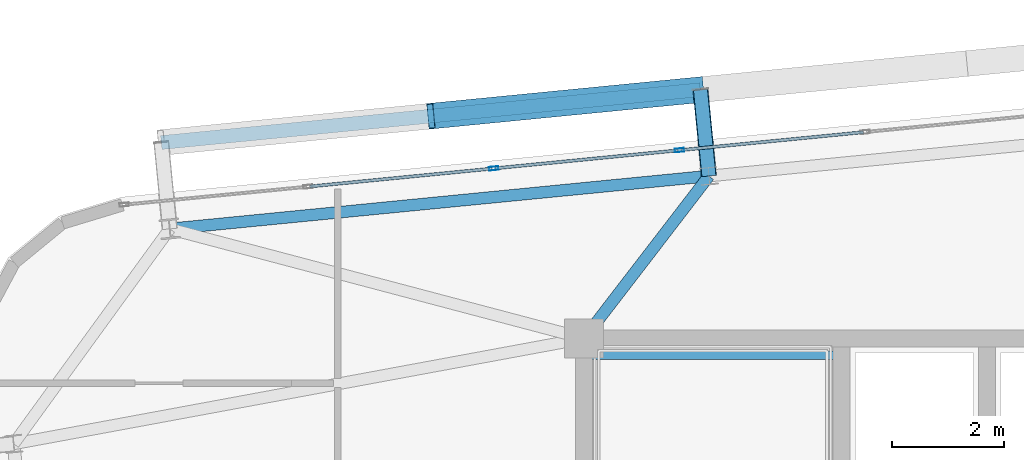
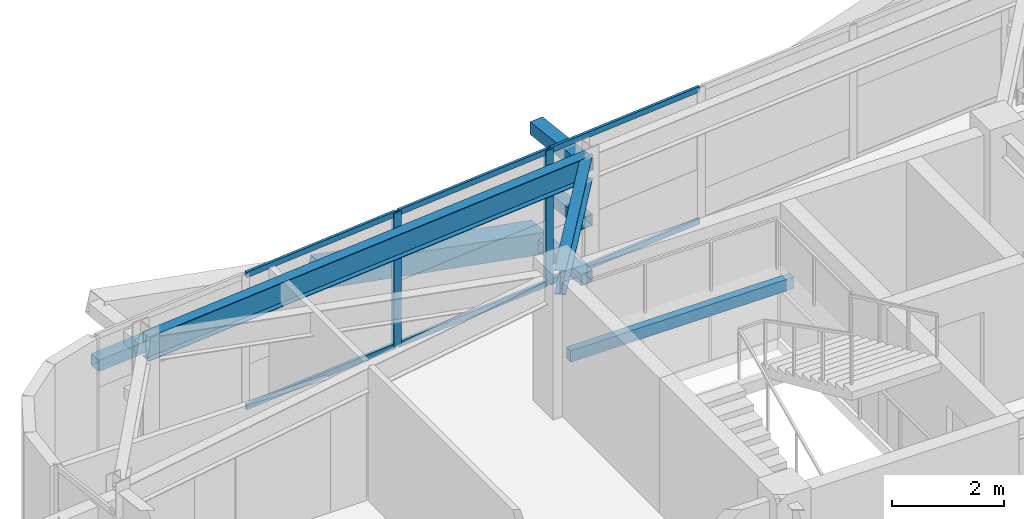
# One storey, part 28 of 52: 13 members, 3 beams, 1 element without a shape of its own.
"""IFC4 building model written with IfcOpenShell, lengths in metres."""

from ifc_helpers import new_model, si_unit, direction, frame, origin, origin_2d, place, context, subcontext, project, spatial, hollow_rectangle, i_section, extrude, source, transform, mapped, material, layer, layer_set, material_profile, profile_set, type_object, element, aggregate, save


model = new_model("IFC4")

# Units and contexts
model_context = context("Model", 3, precision=1e-05, world=origin(), true_north=direction((0.0, 1.0)))
body_context = subcontext(model_context, "Body", "Model", "MODEL_VIEW")
ifc_project = project(units=[si_unit("LENGTHUNIT", "METRE"), si_unit("AREAUNIT", "SQUARE_METRE"), si_unit("VOLUMEUNIT", "CUBIC_METRE"), si_unit("PLANEANGLEUNIT", "RADIAN"), si_unit("MASSUNIT", "GRAM", prefix="KILO")], contexts=[model_context])

# Site, building, storey
site_placement = place(None, origin())
site = spatial("IfcSite", under=ifc_project, at=site_placement, CompositionType="ELEMENT")
building_placement = place(site_placement, origin())
building = spatial("IfcBuilding", under=site, at=building_placement, Name="Taldren Reach Tower", CompositionType="ELEMENT")
storey_placement = place(building_placement, frame((0.0, 0.0, 96.60009765625)))
storey = spatial("IfcBuildingStorey", under=building, at=storey_placement, Name="L29", CompositionType="ELEMENT", Elevation=96.60009765625)

# Beams
ifc_material_1 = material(Name="Steel Gr 350 (350PLUS)", Category="steel")
ifc_material_profile_1 = material_profile(ifc_material_1, i_section(OverallWidth=0.208984375, OverallDepth=0.528076171875, WebThickness=0.009521484375, FlangeThickness=0.01318359375, at=origin_2d()), Name="530UB82.0")
ifc_profile_set_1 = profile_set([ifc_material_profile_1], Name="Steel Gr 350 (350PLUS)")
beam_type_1 = type_object("IfcBeamType", Name="SP-UB530B", PredefinedType="SPANDREL", material=ifc_profile_set_1)
shared_shape_1 = source(origin(), body_context, "Body", "SweptSolid", [
    extrude(i_section(OverallWidth=0.208984375, OverallDepth=0.528076171875, WebThickness=0.009521484375, FlangeThickness=0.01318359375, at=origin_2d()), origin(), (0.0, 0.0, 1.0), 9.679931640625),
])
beam_1_placement = place(storey_placement, frame((21.230712890625, 34.9013671875, 2.666015625), z_axis=(-0.995227612658, -0.097580730699, 0.0), x_axis=(0.097580730699, -0.995227612658, 0.0)))
element("IfcBeam", 1, at=beam_1_placement, inside=storey, type_object=beam_type_1, Name="Perimeter spandrel B2 N2-N1 L29", PredefinedType="SPANDREL", context=body_context, shape_type="MappedRepresentation", body=[
    mapped(shared_shape_1, transform((0.0, 0.0, 0.0), scale=1.0)),
])
ifc_material_profile_2 = material_profile(ifc_material_1, i_section(OverallWidth=0.208984375, OverallDepth=0.532958984375, WebThickness=0.01025390625, FlangeThickness=0.015625, at=origin_2d()), Name="530UB92.4")
ifc_profile_set_2 = profile_set([ifc_material_profile_2], Name="Steel Gr 350 (350PLUS)")
beam_type_2 = type_object("IfcBeamType", Name="BM-UB530A", PredefinedType="BEAM", material=ifc_profile_set_2)
shared_shape_2 = source(origin(), body_context, "Body", "SweptSolid", [
    extrude(i_section(OverallWidth=0.208984375, OverallDepth=0.532958984375, WebThickness=0.01025390625, FlangeThickness=0.015625, at=origin_2d()), origin(), (0.0, 0.0, 1.0), 3.65966796875),
])
beam_2_placement = place(storey_placement, frame((19.0, 32.0, 2.663330078125), z_axis=(0.609520535722, 0.792770279799, 0.0), x_axis=(-0.792770279799, 0.609520535722, 0.0)))
element("IfcBeam", 2, at=beam_2_placement, inside=storey, type_object=beam_type_2, Name="Primary floor girder B2-N2 L29", PredefinedType="BEAM", context=body_context, shape_type="MappedRepresentation", body=[
    mapped(shared_shape_2, transform((0.0, 0.0, 0.0), scale=1.0)),
])

# Members
ifc_material_2 = material(Name="Steel Gr 450 (C450L0)", Category="steel")
ifc_material_profile_3 = material_profile(ifc_material_2, hollow_rectangle(XDim=0.27490234375, YDim=0.27490234375, WallThickness=0.00927734375, at=origin_2d()), Name="275x275x9.3SHS")
ifc_profile_set_3 = profile_set([ifc_material_profile_3], Name="Steel Gr 450 (C450L0)")
member_type_1 = type_object("IfcMemberType", Name="MB-TIE273", PredefinedType="STRUT", material=ifc_profile_set_3)
shared_shape_3 = source(origin(), body_context, "Body", "SweptSolid", [
    extrude(hollow_rectangle(XDim=0.27490234375, YDim=0.27490234375, WallThickness=0.00927734375, at=origin_2d()), origin(), (0.0, 0.0, 1.0), 1.550048828125),
])
member_1_placement = place(storey_placement, frame((21.230712890625, 34.9013671875, 2.64990234375), z_axis=(-0.097647892962, 0.9952210252, 0.0), x_axis=(-0.9952210252, -0.097647892962, 0.0)))
element("IfcMember", 3, at=member_1_placement, inside=storey, type_object=member_type_1, Name="Exoskeleton diaphragm tie strut B2-N2 L29", PredefinedType="STRUT", context=body_context, shape_type="MappedRepresentation", body=[
    mapped(shared_shape_3, transform((0.0, 0.0, 0.0), scale=1.0)),
])
ifc_material_profile_4 = material_profile(ifc_material_2, hollow_rectangle(XDim=0.4599609375, YDim=0.4599609375, WallThickness=0.01611328125, at=origin_2d()), Name="460x460x16.0SHS")
ifc_profile_set_4 = profile_set([ifc_material_profile_4], Name="Steel Gr 450 (C450L0)")
member_type_2 = type_object("IfcMemberType", Name="MB-EXO457", PredefinedType="BRACE", material=ifc_profile_set_4)
shared_shape_4 = source(origin(), body_context, "Body", "SweptSolid", [
    extrude(hollow_rectangle(XDim=0.4599609375, YDim=0.4599609375, WallThickness=0.01611328125, at=origin_2d()), origin(), (0.0, 0.0, 1.0), 4.990234375),
])
member_2_placement = place(storey_placement, frame((21.079345703125, 36.444091796875, 0.219970703125), z_axis=(-0.965282554799, -0.094669120301, 0.243448859234), x_axis=(0.097605711627, -0.995225162995, 0.0)))
element("IfcMember", 4, at=member_2_placement, inside=storey, type_object=member_type_2, Name="Exoskeleton Diagrid Brace B2-N1 L29", PredefinedType="BRACE", context=body_context, shape_type="MappedRepresentation", body=[
    mapped(shared_shape_4, transform((0.0, 0.0, 0.0), scale=1.0)),
])
ifc_material_3 = material(Name="Steel Gr 350 (C350L0)", Category="steel")
ifc_material_profile_5 = material_profile(ifc_material_3, hollow_rectangle(XDim=0.25, YDim=0.25, WallThickness=0.010009765625, at=origin_2d()), Name="250x250x10.0SHS")
ifc_profile_set_5 = profile_set([ifc_material_profile_5], Name="Steel Gr 350 (C350L0)")
member_type_3 = type_object("IfcMemberType", Name="MB-POST250", PredefinedType="POST", material=ifc_profile_set_5)
shared_shape_5 = source(origin(), body_context, "Body", "SweptSolid", [
    extrude(hollow_rectangle(XDim=0.25, YDim=0.25, WallThickness=0.010009765625, at=origin_2d()), origin(), (0.0, 0.0, 1.0), 9.679931640625),
])
member_3_placement = place(storey_placement, frame((11.445556640625, 35.49951171875, 1.434814453125), z_axis=(0.995227612658, 0.097580730699, 0.0), x_axis=(-0.097580730699, 0.995227612658, 0.0)))
element("IfcMember", 5, at=member_3_placement, inside=storey, type_object=member_type_3, Name="Exoskeleton mid-height ring chord B2-N1 L29", PredefinedType="POST", context=body_context, shape_type="MappedRepresentation", body=[
    mapped(shared_shape_5, transform((0.0, 0.0, 0.0), scale=1.0)),
])
shared_shape_6 = source(origin(), body_context, "Body", "SweptSolid", [
    extrude(hollow_rectangle(XDim=0.25, YDim=0.25, WallThickness=0.010009765625, at=origin_2d()), origin(), (0.0, 0.0, 1.0), 1.550048828125),
])
for number, where, z_axis, x_axis, name in (
    (6, (21.230712890625, 34.9013671875, 0.219970703125), (-0.097647892962, 0.9952210252, 0.0), (-0.9952210252, -0.097647892962, 0.0), "Exoskeleton base diaphragm tie strut B2-N2 L29"),
    (7, (21.230712890625, 34.9013671875, 1.434814453125), (-0.097647892962, 0.9952210252, 0.0), (-0.9952210252, -0.097647892962, 0.0), "Exoskeleton mid-tier diaphragm tie B2-N2 L29"),
):
    element("IfcMember", number, at=place(storey_placement, frame(where, z_axis=z_axis, x_axis=x_axis)), inside=storey, type_object=member_type_3, Name=name, PredefinedType="POST", context=body_context, shape_type="MappedRepresentation", body=[
        mapped(shared_shape_6, transform((0.0, 0.0, 0.0), scale=1.0)),
    ])

# Curtain wall, members
ifc_material_4 = material(Name="Aluminium and Low-E Glass Unitised System", Category="aluminium")
ifc_layer = layer(ifc_material_4, 0.159912109375)
ifc_layer_set = layer_set([ifc_layer], Name="Aluminium and Low-E Glass Unitised System")
curtain_wall_type = type_object("IfcCurtainWallType", Name="CW-SYS-3", PredefinedType="NOTDEFINED", material=ifc_layer_set)
curtain_wall_placement = place(storey_placement, origin())
curtain_wall = element("IfcCurtainWall", 8, at=curtain_wall_placement, inside=storey, type_object=curtain_wall_type, Name="Unitised curtain wall CW-L29-N", PredefinedType="NOTDEFINED")
ifc_material_5 = material(Name="Anodised Aluminium 6063-T6", Category="aluminium")
ifc_material_profile_6 = material_profile(ifc_material_5, hollow_rectangle(XDim=0.06494140625, YDim=0.1650390625, WallThickness=0.00390625, at=origin_2d()), Name="ALU-165x65x4RHS")
ifc_profile_set_6 = profile_set([ifc_material_profile_6], Name="Anodised Aluminium 6063-T6")
member_type_4 = type_object("IfcMemberType", Name="CW-MUL-165", PredefinedType="MULLION", material=ifc_profile_set_6)
shared_shape_7 = source(origin(), body_context, "Body", "SweptSolid", [
    extrude(hollow_rectangle(XDim=0.06494140625, YDim=0.1650390625, WallThickness=0.00390625, at=origin_2d()), origin(), (0.0, 0.0, 1.0), 2.929931640625),
])
member_4_placement = place(storey_placement, frame((20.703125, 35.3623046875, 0.0), z_axis=(0.0, 0.0, 1.0), x_axis=(0.097582999046, -0.995227390247, 0.0)))
member_4 = element("IfcMember", 9, at=member_4_placement, type_object=member_type_4, Name="CW-3 mullion 13", PredefinedType="MULLION", context=body_context, shape_type="MappedRepresentation", body=[
    mapped(shared_shape_7, transform((0.0, 0.0, 0.0), scale=1.0)),
])
member_5_placement = place(storey_placement, frame((17.3857421875, 35.036865234375, 0.0), z_axis=(0.0, 0.0, 1.0), x_axis=(0.097582999046, -0.995227390247, 0.0)))
member_5 = element("IfcMember", 10, at=member_5_placement, type_object=member_type_4, Name="CW-3 mullion 14", PredefinedType="MULLION", context=body_context, shape_type="MappedRepresentation", body=[
    mapped(shared_shape_7, transform((0.0, 0.0, 0.0), scale=1.0)),
])
ifc_material_profile_7 = material_profile(ifc_material_5, hollow_rectangle(XDim=0.054931640625, YDim=0.1201171875, WallThickness=0.0029296875, at=origin_2d()), Name="ALU-120x55x3RHS")
ifc_profile_set_7 = profile_set([ifc_material_profile_7], Name="Anodised Aluminium 6063-T6")
member_type_5 = type_object("IfcMemberType", Name="CW-TRN-135", PredefinedType="USERDEFINED", material=ifc_profile_set_7)
shared_shape_8 = source(origin(), body_context, "Body", "SweptSolid", [
    extrude(hollow_rectangle(XDim=0.054931640625, YDim=0.1201171875, WallThickness=0.0029296875, at=origin_2d()), origin(), (0.0, 0.0, 1.0), 3.268310546875),
])
member_6_placement = place(storey_placement, frame((23.98828125, 35.684326171875, 0.02734375), z_axis=(-0.99522980512, -0.097558367146, 0.0), x_axis=(0.097558367146, -0.99522980512, 0.0)))
member_6 = element("IfcMember", 11, at=member_6_placement, type_object=member_type_5, Name="CW-3 transom 12.1", ObjectType="TRANSOM", PredefinedType="USERDEFINED", context=body_context, shape_type="MappedRepresentation", body=[
    mapped(shared_shape_8, transform((0.0, 0.0, 0.0), scale=1.0)),
])
member_7_placement = place(storey_placement, frame((23.98828125, 35.684326171875, 2.90234375), z_axis=(-0.99522980512, -0.097558367146, 0.0), x_axis=(0.097558367146, -0.99522980512, 0.0)))
member_7 = element("IfcMember", 12, at=member_7_placement, type_object=member_type_5, Name="CW-3 transom 12.2", ObjectType="TRANSOM", PredefinedType="USERDEFINED", context=body_context, shape_type="MappedRepresentation", body=[
    mapped(shared_shape_8, transform((0.0, 0.0, 0.0), scale=1.0)),
])
member_8_placement = place(storey_placement, frame((17.353271484375, 35.03369140625, 0.02734375), z_axis=(-0.99522980512, -0.097558367146, 0.0), x_axis=(0.097558367146, -0.99522980512, 0.0)))
member_8 = element("IfcMember", 13, at=member_8_placement, type_object=member_type_5, Name="CW-3 transom 14.1", ObjectType="TRANSOM", PredefinedType="USERDEFINED", context=body_context, shape_type="MappedRepresentation", body=[
    mapped(shared_shape_8, transform((0.0, 0.0, 0.0), scale=1.0)),
])
member_9_placement = place(storey_placement, frame((17.353271484375, 35.03369140625, 2.90234375), z_axis=(-0.99522980512, -0.097558367146, 0.0), x_axis=(0.097558367146, -0.99522980512, 0.0)))
member_9 = element("IfcMember", 14, at=member_9_placement, type_object=member_type_5, Name="CW-3 transom 14.2", ObjectType="TRANSOM", PredefinedType="USERDEFINED", context=body_context, shape_type="MappedRepresentation", body=[
    mapped(shared_shape_8, transform((0.0, 0.0, 0.0), scale=1.0)),
])
shared_shape_9 = source(origin(), body_context, "Body", "SweptSolid", [
    extrude(hollow_rectangle(XDim=0.054931640625, YDim=0.1201171875, WallThickness=0.0029296875, at=origin_2d()), origin(), (0.0, 0.0, 1.0), 3.2685546875),
])
member_10_placement = place(storey_placement, frame((20.6708984375, 35.359130859375, 0.02734375), z_axis=(-0.995223261527, -0.09762509778, 0.0), x_axis=(0.09762509778, -0.995223261527, 0.0)))
member_10 = element("IfcMember", 15, at=member_10_placement, type_object=member_type_5, Name="CW-3 transom 13.1", ObjectType="TRANSOM", PredefinedType="USERDEFINED", context=body_context, shape_type="MappedRepresentation", body=[
    mapped(shared_shape_9, transform((0.0, 0.0, 0.0), scale=1.0)),
])
member_11_placement = place(storey_placement, frame((20.6708984375, 35.359130859375, 2.90234375), z_axis=(-0.995223261527, -0.09762509778, 0.0), x_axis=(0.09762509778, -0.995223261527, 0.0)))
member_11 = element("IfcMember", 16, at=member_11_placement, type_object=member_type_5, Name="CW-3 transom 13.2", ObjectType="TRANSOM", PredefinedType="USERDEFINED", context=body_context, shape_type="MappedRepresentation", body=[
    mapped(shared_shape_9, transform((0.0, 0.0, 0.0), scale=1.0)),
])
aggregate(curtain_wall, [member_4, member_5, member_6, member_7, member_10, member_11, member_8, member_9])

# Beam
ifc_material_profile_8 = material_profile(ifc_material_3, hollow_rectangle(XDim=0.14990234375, YDim=0.25, WallThickness=0.009033203125, at=origin_2d()), Name="250x150x9.0RHS")
ifc_profile_set_8 = profile_set([ifc_material_profile_8], Name="Steel Gr 350 (C350L0)")
beam_type_3 = type_object("IfcBeamType", Name="LN-RHS250", PredefinedType="LINTEL", material=ifc_profile_set_8)
shared_shape_10 = source(origin(), body_context, "Body", "SweptSolid", [
    extrude(hollow_rectangle(XDim=0.14990234375, YDim=0.25, WallThickness=0.009033203125, at=origin_2d()), origin(), (0.0, 0.0, 1.0), 4.60009765625),
])
beam_3_placement = place(storey_placement, frame((19.0, 31.699951171875, 1.27001953125), z_axis=(1.0, 0.0, 0.0), x_axis=(0.0, 1.0, 0.0)))
element("IfcBeam", 17, at=beam_3_placement, inside=storey, type_object=beam_type_3, Name="Stair half-landing support beam ST1-L29-2", PredefinedType="LINTEL", context=body_context, shape_type="MappedRepresentation", body=[
    mapped(shared_shape_10, transform((0.0, 0.0, 0.0), scale=1.0)),
])

save(model, "model.ifc")
